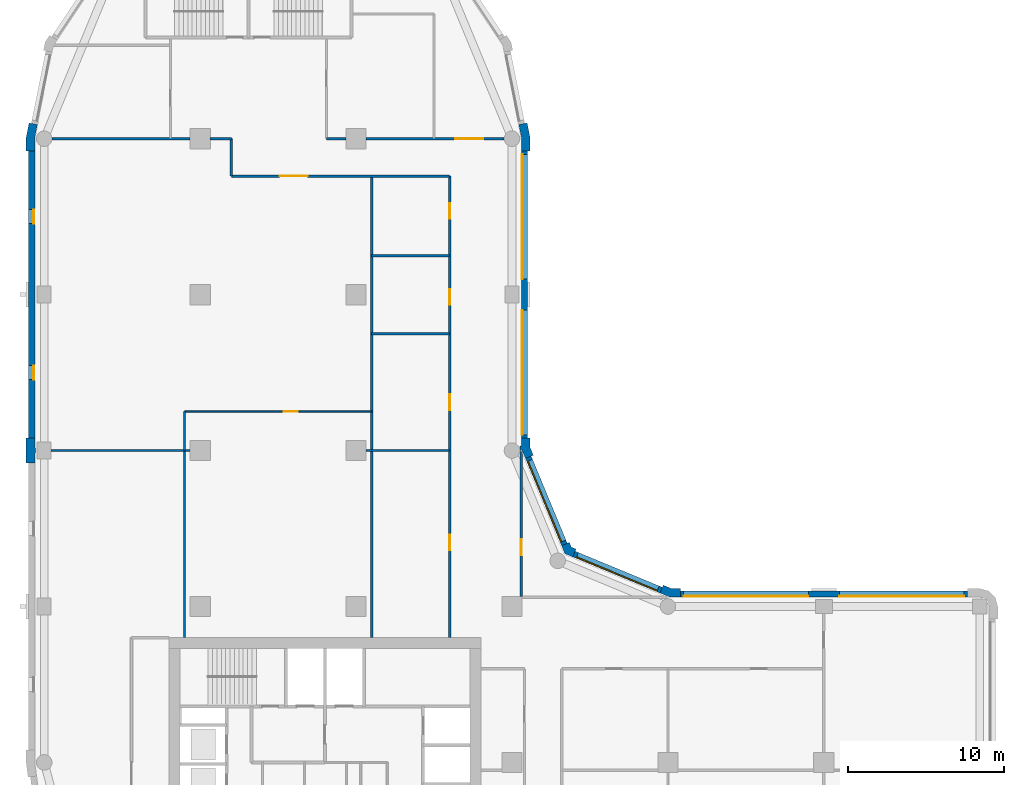
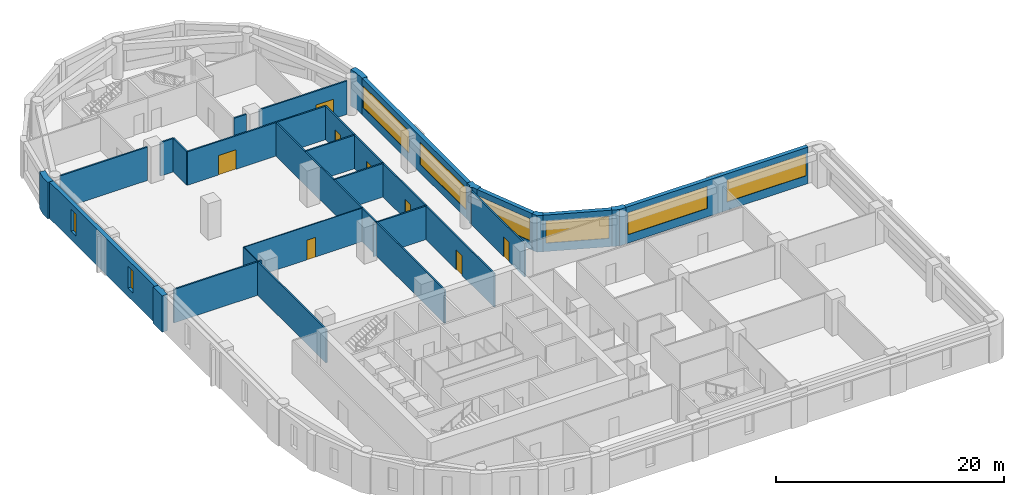
# One storey, part 5 of 9: 27 walls, 8 doors, 8 windows, 16 openings.
"""IFC4 building model written with IfcOpenShell, lengths in metres."""

from ifc_helpers import new_model, si_unit, direction, frame, frame_2d, origin, place, context, subcontext, project, spatial, polyline, rectangle, outline, extrude, material, layer, layer_set, type_object, element, fill, save


model = new_model("IFC4")

# Units and contexts
model_context = context("Model", 3, precision=1e-05, world=origin(), true_north=direction((0.0, 1.0)))
body_context = subcontext(model_context, "Body", "Model", "MODEL_VIEW")
ifc_project = project(units=[si_unit("LENGTHUNIT", "METRE"), si_unit("AREAUNIT", "SQUARE_METRE"), si_unit("VOLUMEUNIT", "CUBIC_METRE"), si_unit("PLANEANGLEUNIT", "RADIAN"), si_unit("MASSUNIT", "GRAM", prefix="KILO")], contexts=[model_context])

# Site, building, storey
site_placement = place(None, origin())
site = spatial("IfcSite", under=ifc_project, at=site_placement, CompositionType="ELEMENT")
building_placement = place(site_placement, origin())
building = spatial("IfcBuilding", under=site, at=building_placement, Name="Qaws Garden Tower", CompositionType="ELEMENT")
storey_placement = place(building_placement, frame((0.0, 0.0, 159.0)))
storey = spatial("IfcBuildingStorey", under=building, at=storey_placement, Name="L38", CompositionType="ELEMENT", Elevation=159.0)

# Wall, openings, windows
ifc_material_1 = material(Name="Clay facing brick masonry", Category="masonry")
ifc_layer_1 = layer(ifc_material_1, 0.39990234375)
ifc_layer_set_1 = layer_set([ifc_layer_1], Name="Clay facing brick masonry")
wall_type_1 = type_object("IfcWallType", Name="Brick infill wall 400", PredefinedType="SOLIDWALL", material=ifc_layer_set_1)
wall_1_placement = place(storey_placement, frame((59.199951171875, 30.800048828125, 0.0), z_axis=(0.0, 0.0, 1.0), x_axis=(-1.0, 0.0, 0.0)))
wall_1 = element("IfcWall", 1, at=wall_1_placement, inside=storey, type_object=wall_type_1, Name="E-L38-infill-07", PredefinedType="SOLIDWALL", context=body_context, shape_type="SweptSolid", body=[
    extrude(rectangle(XDim=18.39990234375, YDim=0.39990234375, at=frame_2d((9.199951171875, 0.0))), origin(), (0.0, 0.0, 1.0), 3.89990234375),
])
opening_1_placement = place(wall_1_placement, frame((0.199951171875, 0.0, 0.89990234375)))
opening_1 = element("IfcOpeningElement", 2, at=opening_1_placement, cuts=wall_1, Name="Opening W01", PredefinedType="OPENING", context=body_context, shape_type="SweptSolid", body=[
    extrude(rectangle(XDim=8.0, YDim=2.35009765625, at=frame_2d((4.0, 1.175048828125))), frame((0.0, 0.2099609375, 0.0), z_axis=(0.0, -1.0, 0.0), x_axis=(1.0, 0.0, 0.0)), (0.0, 0.0, 1.0), 0.419921875),
])
opening_2_placement = place(wall_1_placement, frame((10.199951171875, 0.0, 0.89990234375)))
opening_2 = element("IfcOpeningElement", 3, at=opening_2_placement, cuts=wall_1, Name="Opening W01", PredefinedType="OPENING", context=body_context, shape_type="SweptSolid", body=[
    extrude(rectangle(XDim=8.0, YDim=2.35009765625, at=frame_2d((4.0, 1.175048828125))), frame((0.0, 0.2099609375, 0.0), z_axis=(0.0, -1.0, 0.0), x_axis=(1.0, 0.0, 0.0)), (0.0, 0.0, 1.0), 0.419921875),
])
ifc_material_2 = material(Name="Aluminium framed window, clear glazing", Category="aluminium")
window_type_1 = type_object("IfcWindowType", Name="Ribbon window 8000 x 2350", PartitioningType="DOUBLE_PANEL_VERTICAL", PredefinedType="WINDOW", material=ifc_material_2)
window_1_placement = place(opening_1_placement, origin())
window_1 = element("IfcWindow", 4, at=window_1_placement, inside=storey, type_object=window_type_1, Name="E-L38-window-07-0", OverallHeight=2.35009765625, OverallWidth=8.0, PartitioningType="SINGLE_PANEL", PredefinedType="WINDOW", context=body_context, shape_type="SweptSolid", body=[
    extrude(rectangle(XDim=8.0, YDim=2.35009765625, at=frame_2d((4.0, 1.175048828125))), frame((0.0, 0.159912109375, 0.0), z_axis=(0.0, -1.0, 0.0), x_axis=(1.0, 0.0, 0.0)), (0.0, 0.0, 1.0), 0.06005859375),
])
fill(opening_1, window_1)
window_2_placement = place(opening_2_placement, origin())
window_2 = element("IfcWindow", 5, at=window_2_placement, inside=storey, type_object=window_type_1, Name="E-L38-window-08-0", OverallHeight=2.35009765625, OverallWidth=8.0, PartitioningType="SINGLE_PANEL", PredefinedType="WINDOW", context=body_context, shape_type="SweptSolid", body=[
    extrude(rectangle(XDim=8.0, YDim=2.35009765625, at=frame_2d((4.0, 1.175048828125))), frame((0.0, 0.159912109375, 0.0), z_axis=(0.0, -1.0, 0.0), x_axis=(1.0, 0.0, 0.0)), (0.0, 0.0, 1.0), 0.06005859375),
])
fill(opening_2, window_2)

# Wall, opening, window
wall_2_placement = place(storey_placement, frame((39.56689453125, 31.04541015625, 0.0), z_axis=(0.0, 0.0, 1.0), x_axis=(-0.923891000409, 0.382655745237, 0.0)))
wall_2 = element("IfcWall", 6, at=wall_2_placement, inside=storey, type_object=wall_type_1, Name="E-L38-infill-09", PredefinedType="SOLIDWALL", context=body_context, shape_type="SweptSolid", body=[
    extrude(rectangle(XDim=6.053466796875, YDim=0.39990234375, at=frame_2d((3.02685546875, 0.0))), origin(), (0.0, 0.0, 1.0), 3.89990234375),
])
opening_3_placement = place(wall_2_placement, frame((0.226806640625, 0.0, 0.89990234375)))
opening_3 = element("IfcOpeningElement", 7, at=opening_3_placement, cuts=wall_2, Name="Opening W04", PredefinedType="OPENING", context=body_context, shape_type="SweptSolid", body=[
    extrude(rectangle(XDim=5.60009765625, YDim=2.35009765625, at=frame_2d((2.800048828125, 1.175048828125))), frame((0.0, 0.2099609375, 0.0), z_axis=(0.0, -1.0, 0.0), x_axis=(1.0, 0.0, 0.0)), (0.0, 0.0, 1.0), 0.419921875),
])
ifc_material_3 = material(Name="Aluminium framed window, clear glazing", Category="aluminium")
window_type_2 = type_object("IfcWindowType", Name="Ribbon window 5600 x 2350", PartitioningType="DOUBLE_PANEL_VERTICAL", PredefinedType="WINDOW", material=ifc_material_3)
window_3_placement = place(opening_3_placement, origin())
window_3 = element("IfcWindow", 8, at=window_3_placement, inside=storey, type_object=window_type_2, Name="E-L38-window-09-0", OverallHeight=2.35009765625, OverallWidth=5.60009765625, PartitioningType="SINGLE_PANEL", PredefinedType="WINDOW", context=body_context, shape_type="SweptSolid", body=[
    extrude(rectangle(XDim=5.60009765625, YDim=2.35009765625, at=frame_2d((2.800048828125, 1.175048828125))), frame((0.0, 0.159912109375, 0.0), z_axis=(0.0, -1.0, 0.0), x_axis=(1.0, 0.0, 0.0)), (0.0, 0.0, 1.0), 0.06005859375),
])
fill(opening_3, window_3)

wall_3_placement = place(storey_placement, frame((33.36181640625, 33.97412109375, 0.0), z_axis=(0.0, 0.0, 1.0), x_axis=(-0.382655745237, 0.923891000409, 0.0)))
wall_3 = element("IfcWall", 9, at=wall_3_placement, inside=storey, type_object=wall_type_1, Name="E-L38-infill-10", PredefinedType="SOLIDWALL", context=body_context, shape_type="SweptSolid", body=[
    extrude(rectangle(XDim=6.053466796875, YDim=0.39990234375, at=frame_2d((3.02685546875, 0.0))), origin(), (0.0, 0.0, 1.0), 3.89990234375),
])
opening_4_placement = place(wall_3_placement, frame((0.226806640625, 0.0, 0.89990234375)))
opening_4 = element("IfcOpeningElement", 10, at=opening_4_placement, cuts=wall_3, Name="Opening W04", PredefinedType="OPENING", context=body_context, shape_type="SweptSolid", body=[
    extrude(rectangle(XDim=5.60009765625, YDim=2.35009765625, at=frame_2d((2.800048828125, 1.175048828125))), frame((0.0, 0.2099609375, 0.0), z_axis=(0.0, -1.0, 0.0), x_axis=(1.0, 0.0, 0.0)), (0.0, 0.0, 1.0), 0.419921875),
])
window_4_placement = place(opening_4_placement, origin())
window_4 = element("IfcWindow", 11, at=window_4_placement, inside=storey, type_object=window_type_2, Name="E-L38-window-10-0", OverallHeight=2.35009765625, OverallWidth=5.60009765625, PartitioningType="SINGLE_PANEL", PredefinedType="WINDOW", context=body_context, shape_type="SweptSolid", body=[
    extrude(rectangle(XDim=5.60009765625, YDim=2.35009765625, at=frame_2d((2.800048828125, 1.175048828125))), frame((0.0, 0.159912109375, 0.0), z_axis=(0.0, -1.0, 0.0), x_axis=(1.0, 0.0, 0.0)), (0.0, 0.0, 1.0), 0.06005859375),
])
fill(opening_4, window_4)

# Wall, openings, windows
wall_4_placement = place(storey_placement, frame((30.800048828125, 40.800048828125, 0.0), z_axis=(0.0, 0.0, 1.0), x_axis=(0.0, 1.0, 0.0)))
wall_4 = element("IfcWall", 12, at=wall_4_placement, inside=storey, type_object=wall_type_1, Name="E-L38-infill-11", PredefinedType="SOLIDWALL", context=body_context, shape_type="SweptSolid", body=[
    extrude(rectangle(XDim=18.39990234375, YDim=0.39990234375, at=frame_2d((9.199951171875, 0.0))), origin(), (0.0, 0.0, 1.0), 3.89990234375),
])
opening_5_placement = place(wall_4_placement, frame((0.199951171875, 0.0, 0.89990234375)))
opening_5 = element("IfcOpeningElement", 13, at=opening_5_placement, cuts=wall_4, Name="Opening W01", PredefinedType="OPENING", context=body_context, shape_type="SweptSolid", body=[
    extrude(rectangle(XDim=8.0, YDim=2.35009765625, at=frame_2d((4.0, 1.175048828125))), frame((0.0, 0.2099609375, 0.0), z_axis=(0.0, -1.0, 0.0), x_axis=(1.0, 0.0, 0.0)), (0.0, 0.0, 1.0), 0.419921875),
])
opening_6_placement = place(wall_4_placement, frame((10.199951171875, 0.0, 0.89990234375)))
opening_6 = element("IfcOpeningElement", 14, at=opening_6_placement, cuts=wall_4, Name="Opening W01", PredefinedType="OPENING", context=body_context, shape_type="SweptSolid", body=[
    extrude(rectangle(XDim=8.0, YDim=2.35009765625, at=frame_2d((4.0, 1.175048828125))), frame((0.0, 0.2099609375, 0.0), z_axis=(0.0, -1.0, 0.0), x_axis=(1.0, 0.0, 0.0)), (0.0, 0.0, 1.0), 0.419921875),
])
window_5_placement = place(opening_5_placement, origin())
window_5 = element("IfcWindow", 15, at=window_5_placement, inside=storey, type_object=window_type_1, Name="E-L38-window-11-0", OverallHeight=2.35009765625, OverallWidth=8.0, PartitioningType="SINGLE_PANEL", PredefinedType="WINDOW", context=body_context, shape_type="SweptSolid", body=[
    extrude(rectangle(XDim=8.0, YDim=2.35009765625, at=frame_2d((4.0, 1.175048828125))), frame((0.0, 0.159912109375, 0.0), z_axis=(0.0, -1.0, 0.0), x_axis=(1.0, 0.0, 0.0)), (0.0, 0.0, 1.0), 0.06005859375),
])
fill(opening_5, window_5)
window_6_placement = place(opening_6_placement, origin())
window_6 = element("IfcWindow", 16, at=window_6_placement, inside=storey, type_object=window_type_1, Name="E-L38-window-12-0", OverallHeight=2.35009765625, OverallWidth=8.0, PartitioningType="SINGLE_PANEL", PredefinedType="WINDOW", context=body_context, shape_type="SweptSolid", body=[
    extrude(rectangle(XDim=8.0, YDim=2.35009765625, at=frame_2d((4.0, 1.175048828125))), frame((0.0, 0.159912109375, 0.0), z_axis=(0.0, -1.0, 0.0), x_axis=(1.0, 0.0, 0.0)), (0.0, 0.0, 1.0), 0.06005859375),
])
fill(opening_6, window_6)

wall_5_placement = place(storey_placement, frame((-0.800048828125, 59.199951171875, 0.0), z_axis=(0.0, 0.0, 1.0), x_axis=(0.0, -1.0, 0.0)))
wall_5 = element("IfcWall", 17, at=wall_5_placement, inside=storey, type_object=wall_type_1, Name="E-L38-infill-21", PredefinedType="SOLIDWALL", context=body_context, shape_type="SweptSolid", body=[
    extrude(rectangle(XDim=18.39990234375, YDim=0.39990234375, at=frame_2d((9.199951171875, 0.0))), origin(), (0.0, 0.0, 1.0), 3.89990234375),
])
opening_7_placement = place(wall_5_placement, frame((3.75, 0.0, 0.89990234375)))
opening_7 = element("IfcOpeningElement", 18, at=opening_7_placement, cuts=wall_5, Name="Opening W09", PredefinedType="OPENING", context=body_context, shape_type="SweptSolid", body=[
    extrude(rectangle(XDim=0.89990234375, YDim=2.35009765625, at=frame_2d((0.449951171875, 1.175048828125))), frame((0.0, 0.2099609375, 0.0), z_axis=(0.0, -1.0, 0.0), x_axis=(1.0, 0.0, 0.0)), (0.0, 0.0, 1.0), 0.419921875),
])
opening_8_placement = place(wall_5_placement, frame((13.75, 0.0, 0.89990234375)))
opening_8 = element("IfcOpeningElement", 19, at=opening_8_placement, cuts=wall_5, Name="Opening W09", PredefinedType="OPENING", context=body_context, shape_type="SweptSolid", body=[
    extrude(rectangle(XDim=0.89990234375, YDim=2.35009765625, at=frame_2d((0.449951171875, 1.175048828125))), frame((0.0, 0.2099609375, 0.0), z_axis=(0.0, -1.0, 0.0), x_axis=(1.0, 0.0, 0.0)), (0.0, 0.0, 1.0), 0.419921875),
])
ifc_material_4 = material(Name="Aluminium framed window, clear glazing", Category="aluminium")
window_type_3 = type_object("IfcWindowType", Name="Slit window 900 x 2350", PartitioningType="SINGLE_PANEL", PredefinedType="WINDOW", material=ifc_material_4)
window_7_placement = place(opening_7_placement, origin())
window_7 = element("IfcWindow", 20, at=window_7_placement, inside=storey, type_object=window_type_3, Name="E-L38-window-21-0", OverallHeight=2.35009765625, OverallWidth=0.89990234375, PartitioningType="SINGLE_PANEL", PredefinedType="WINDOW", context=body_context, shape_type="SweptSolid", body=[
    extrude(rectangle(XDim=0.89990234375, YDim=2.35009765625, at=frame_2d((0.449951171875, 1.175048828125))), frame((0.0, 0.159912109375, 0.0), z_axis=(0.0, -1.0, 0.0), x_axis=(1.0, 0.0, 0.0)), (0.0, 0.0, 1.0), 0.06005859375),
])
fill(opening_7, window_7)
window_8_placement = place(opening_8_placement, origin())
window_8 = element("IfcWindow", 21, at=window_8_placement, inside=storey, type_object=window_type_3, Name="E-L38-window-22-0", OverallHeight=2.35009765625, OverallWidth=0.89990234375, PartitioningType="SINGLE_PANEL", PredefinedType="WINDOW", context=body_context, shape_type="SweptSolid", body=[
    extrude(rectangle(XDim=0.89990234375, YDim=2.35009765625, at=frame_2d((0.449951171875, 1.175048828125))), frame((0.0, 0.159912109375, 0.0), z_axis=(0.0, -1.0, 0.0), x_axis=(1.0, 0.0, 0.0)), (0.0, 0.0, 1.0), 0.06005859375),
])
fill(opening_8, window_8)

# Walls
ifc_material_5 = material(Name="Clay facing brick masonry", Category="masonry")
ifc_layer_2 = layer(ifc_material_5, 0.550048828125)
ifc_layer_set_2 = layer_set([ifc_layer_2], Name="Clay facing brick masonry")
wall_type_2 = type_object("IfcWallType", Name="Brick pier 550 x 1600", PredefinedType="SOLIDWALL", material=ifc_layer_set_2)
placement = place(storey_placement, origin())
element("IfcWall", 22, at=placement, inside=storey, type_object=wall_type_2, Name="E-L38-pier-09", PredefinedType="SOLIDWALL", context=body_context, shape_type="SweptSolid", body=[
    extrude(outline(polyline([(40.800048828125, 31.0), (40.800048828125, 31.14990234375), (40.228759765625, 31.14990234375), (39.700927734375, 31.36865234375), (39.6435546875, 31.22998046875), (39.490478515625, 30.860595703125), (40.119384765625, 30.60009765625), (40.800048828125, 30.60009765625), (40.800048828125, 31.0)])), origin(), (0.0, 0.0, 1.0), 3.89990234375),
])
element("IfcWall", 23, at=placement, inside=storey, type_object=wall_type_2, Name="E-L38-pier-10", PredefinedType="SOLIDWALL", context=body_context, shape_type="SweptSolid", body=[
    extrude(outline(polyline([(34.05078125, 33.546630859375), (34.108154296875, 33.685302734375), (33.80908203125, 33.80908203125), (33.685302734375, 34.108154296875), (33.546630859375, 34.05078125), (33.177001953125, 33.897705078125), (33.38818359375, 33.38818359375), (33.897705078125, 33.177001953125), (34.05078125, 33.546630859375)])), origin(), (0.0, 0.0, 1.0), 3.89990234375),
])
element("IfcWall", 24, at=placement, inside=storey, type_object=wall_type_2, Name="E-L38-pier-11", PredefinedType="SOLIDWALL", context=body_context, shape_type="SweptSolid", body=[
    extrude(outline(polyline([(30.6201171875, 39.995361328125), (30.6201171875, 40.071044921875), (30.860595703125, 39.490478515625), (31.22998046875, 39.6435546875), (31.36865234375, 39.700927734375), (31.14990234375, 40.228759765625), (31.14990234375, 40.800048828125), (31.0, 40.800048828125), (30.60009765625, 40.800048828125), (30.60009765625, 40.29541015625), (30.5, 40.29541015625), (30.5, 39.995361328125), (30.6201171875, 39.995361328125)])), origin(), (0.0, 0.0, 1.0), 3.89990234375),
])
element("IfcWall", 25, at=placement, inside=storey, type_object=wall_type_2, Name="E-L38-pier-13", PredefinedType="SOLIDWALL", context=body_context, shape_type="SweptSolid", body=[
    extrude(outline(polyline([(31.0, 59.199951171875), (31.14990234375, 59.199951171875), (31.14990234375, 60.11328125), (30.971923828125, 61.009033203125), (30.82470703125, 60.979736328125), (30.432373046875, 60.901611328125), (30.60009765625, 60.05908203125), (30.60009765625, 59.199951171875), (31.0, 59.199951171875)])), origin(), (0.0, 0.0, 1.0), 3.89990234375),
])
element("IfcWall", 26, at=placement, inside=storey, type_object=wall_type_2, Name="E-L38-pier-21", PredefinedType="SOLIDWALL", context=body_context, shape_type="SweptSolid", body=[
    extrude(outline(polyline([(-0.82470703125, 60.979736328125), (-0.971923828125, 61.009033203125), (-1.14990234375, 60.11328125), (-1.14990234375, 59.199951171875), (-1.0, 59.199951171875), (-0.60009765625, 59.199951171875), (-0.60009765625, 60.05908203125), (-0.432373046875, 60.901611328125), (-0.82470703125, 60.979736328125)])), origin(), (0.0, 0.0, 1.0), 3.89990234375),
])
element("IfcWall", 27, at=placement, inside=storey, type_object=wall_type_2, Name="E-L38-pier-23", PredefinedType="SOLIDWALL", context=body_context, shape_type="SweptSolid", body=[
    extrude(outline(polyline([(-0.60009765625, 39.199951171875), (-0.60009765625, 39.85009765625), (-0.550048828125, 39.85009765625), (-0.550048828125, 40.14990234375), (-0.60009765625, 40.14990234375), (-0.60009765625, 40.800048828125), (-1.0, 40.800048828125), (-1.14990234375, 40.800048828125), (-1.14990234375, 40.0), (-1.14990234375, 39.199951171875), (-1.0, 39.199951171875), (-0.60009765625, 39.199951171875)])), origin(), (0.0, 0.0, 1.0), 3.89990234375),
])
ifc_material_6 = material(Name="Gypsum board partition")
ifc_layer_3 = layer(ifc_material_6, 0.10009765625)
ifc_layer_set_3 = layer_set([ifc_layer_3], Name="Gypsum board partition")
wall_type_3 = type_object("IfcWallType", Name="PARTITION 100", PredefinedType="PARTITIONING", material=ifc_layer_set_3)
wall_12_placement = place(storey_placement, frame((9.0, 40.0, 0.0), z_axis=(0.0, 0.0, 1.0), x_axis=(0.0, 1.0, 0.0)))
element("IfcWall", 28, at=wall_12_placement, inside=storey, type_object=wall_type_3, Name="O-L38-wall-001", PredefinedType="PARTITIONING", context=body_context, shape_type="SweptSolid", body=[
    extrude(rectangle(XDim=2.5, YDim=0.10009765625, at=frame_2d((1.25, 0.0))), origin(), (0.0, 0.0, 1.0), 3.580078125),
])

# Wall, opening, door
wall_13_placement = place(storey_placement, frame((9.0, 42.5, 0.0), z_axis=(0.0, 0.0, 1.0), x_axis=(1.0, 0.0, 0.0)))
wall_13 = element("IfcWall", 29, at=wall_13_placement, inside=storey, type_object=wall_type_3, Name="O-L38-wall-005", PredefinedType="PARTITIONING", context=body_context, shape_type="SweptSolid", body=[
    extrude(rectangle(XDim=12.0, YDim=0.10009765625, at=frame_2d((6.0, 0.0))), origin(), (0.0, 0.0, 1.0), 3.580078125),
])
opening_9_placement = place(wall_13_placement, frame((6.35009765625, 0.0, 0.0)))
opening_9 = element("IfcOpeningElement", 30, at=opening_9_placement, cuts=wall_13, Name="Opening B324", PredefinedType="OPENING", context=body_context, shape_type="SweptSolid", body=[
    extrude(rectangle(XDim=0.89990234375, YDim=2.10009765625, at=frame_2d((0.449951171875, 1.050048828125))), frame((0.0, 0.06005859375, 0.0), z_axis=(0.0, -1.0, 0.0), x_axis=(1.0, 0.0, 0.0)), (0.0, 0.0, 1.0), 0.1201171875),
])
ifc_material_7 = material(Name="Timber door leaf", Category="wood")
door_type_1 = type_object("IfcDoorType", Name="OFFICE DOOR 900 X 2100", OperationType="SINGLE_SWING_LEFT", PredefinedType="DOOR", material=ifc_material_7)
door_1_placement = place(opening_9_placement, frame((0.89990234375, 0.0, 0.0), z_axis=(0.0, 0.0, 1.0), x_axis=(-1.0, 0.0, 0.0)))
door_1 = element("IfcDoor", 31, at=door_1_placement, inside=storey, type_object=door_type_1, Name="O-L38-door-024", OperationType="SINGLE_SWING_LEFT", OverallHeight=2.10009765625, OverallWidth=0.89990234375, PredefinedType="DOOR", context=body_context, shape_type="SweptSolid", body=[
    extrude(rectangle(XDim=0.89990234375, YDim=2.10009765625, at=frame_2d((0.449951171875, 1.050048828125))), frame((0.0, 0.02490234375, 0.0), z_axis=(0.0, -1.0, 0.0), x_axis=(1.0, 0.0, 0.0)), (0.0, 0.0, 1.0), 0.050048828125),
])
fill(opening_9, door_1)

# Walls
ifc_material_8 = material(Name="Gypsum board partition")
ifc_layer_4 = layer(ifc_material_8, 0.14990234375)
ifc_layer_set_4 = layer_set([ifc_layer_4], Name="Gypsum board partition")
wall_type_4 = type_object("IfcWallType", Name="PARTITION 150 EI 60", PredefinedType="PARTITIONING", material=ifc_layer_set_4)
wall_14_placement = place(storey_placement, frame((9.0, 28.0, 0.0), z_axis=(0.0, 0.0, 1.0), x_axis=(0.0, 1.0, 0.0)))
element("IfcWall", 32, at=wall_14_placement, inside=storey, type_object=wall_type_4, Name="O-L38-wall-008", PredefinedType="PARTITIONING", context=body_context, shape_type="SweptSolid", body=[
    extrude(rectangle(XDim=12.0, YDim=0.14990234375, at=frame_2d((6.0, 0.0))), origin(), (0.0, 0.0, 1.0), 3.580078125),
])
wall_15_placement = place(storey_placement, frame((12.0, 57.60009765625, 0.0), z_axis=(0.0, 0.0, 1.0), x_axis=(0.0, 1.0, 0.0)))
element("IfcWall", 33, at=wall_15_placement, inside=storey, type_object=wall_type_4, Name="O-L38-wall-009", PredefinedType="PARTITIONING", context=body_context, shape_type="SweptSolid", body=[
    extrude(rectangle(XDim=2.39990234375, YDim=0.14990234375, at=frame_2d((1.199951171875, 0.0))), origin(), (0.0, 0.0, 1.0), 3.580078125),
])
wall_16_placement = place(storey_placement, frame((21.0, 28.0, 0.0), z_axis=(0.0, 0.0, 1.0), x_axis=(0.0, 1.0, 0.0)))
element("IfcWall", 34, at=wall_16_placement, inside=storey, type_object=wall_type_4, Name="O-L38-wall-013", PredefinedType="PARTITIONING", context=body_context, shape_type="SweptSolid", body=[
    extrude(rectangle(XDim=29.60009765625, YDim=0.14990234375, at=frame_2d((14.800048828125, 0.0))), origin(), (0.0, 0.0, 1.0), 3.580078125),
])

# Wall, openings, doors
wall_17_placement = place(storey_placement, frame((26.0, 28.0, 0.0), z_axis=(0.0, 0.0, 1.0), x_axis=(0.0, 1.0, 0.0)))
wall_17 = element("IfcWall", 35, at=wall_17_placement, inside=storey, type_object=wall_type_4, Name="O-L38-wall-015", PredefinedType="PARTITIONING", context=body_context, shape_type="SweptSolid", body=[
    extrude(rectangle(XDim=29.60009765625, YDim=0.14990234375, at=frame_2d((14.800048828125, 0.0))), origin(), (0.0, 0.0, 1.0), 3.580078125),
])
opening_10_placement = place(wall_17_placement, frame((5.60009765625, 0.0, 0.0)))
opening_10 = element("IfcOpeningElement", 36, at=opening_10_placement, cuts=wall_17, Name="Opening B305", PredefinedType="OPENING", context=body_context, shape_type="SweptSolid", body=[
    extrude(rectangle(XDim=1.0, YDim=2.10009765625, at=frame_2d((0.5, 1.050048828125))), frame((0.0, 0.0849609375, 0.0), z_axis=(0.0, -1.0, 0.0), x_axis=(1.0, 0.0, 0.0)), (0.0, 0.0, 1.0), 0.169921875),
])
opening_11_placement = place(wall_17_placement, frame((14.60009765625, 0.0, 0.0)))
opening_11 = element("IfcOpeningElement", 37, at=opening_11_placement, cuts=wall_17, Name="Opening B306", PredefinedType="OPENING", context=body_context, shape_type="SweptSolid", body=[
    extrude(rectangle(XDim=1.0, YDim=2.10009765625, at=frame_2d((0.5, 1.050048828125))), frame((0.0, 0.0849609375, 0.0), z_axis=(0.0, -1.0, 0.0), x_axis=(1.0, 0.0, 0.0)), (0.0, 0.0, 1.0), 0.169921875),
])
opening_12_placement = place(wall_17_placement, frame((21.35009765625, 0.0, 0.0)))
opening_12 = element("IfcOpeningElement", 38, at=opening_12_placement, cuts=wall_17, Name="Opening B307", PredefinedType="OPENING", context=body_context, shape_type="SweptSolid", body=[
    extrude(rectangle(XDim=1.0, YDim=2.10009765625, at=frame_2d((0.5, 1.050048828125))), frame((0.0, 0.0849609375, 0.0), z_axis=(0.0, -1.0, 0.0), x_axis=(1.0, 0.0, 0.0)), (0.0, 0.0, 1.0), 0.169921875),
])
opening_13_placement = place(wall_17_placement, frame((26.85009765625, 0.0, 0.0)))
opening_13 = element("IfcOpeningElement", 39, at=opening_13_placement, cuts=wall_17, Name="Opening B308", PredefinedType="OPENING", context=body_context, shape_type="SweptSolid", body=[
    extrude(rectangle(XDim=1.0, YDim=2.10009765625, at=frame_2d((0.5, 1.050048828125))), frame((0.0, 0.0849609375, 0.0), z_axis=(0.0, -1.0, 0.0), x_axis=(1.0, 0.0, 0.0)), (0.0, 0.0, 1.0), 0.169921875),
])
ifc_material_9 = material(Name="Timber door leaf", Category="wood")
door_type_2 = type_object("IfcDoorType", Name="TENANCY ENTRANCE DOOR 1000 X 2100", OperationType="SINGLE_SWING_LEFT", PredefinedType="DOOR", material=ifc_material_9)
door_2_placement = place(opening_10_placement, origin())
door_2 = element("IfcDoor", 40, at=door_2_placement, inside=storey, type_object=door_type_2, Name="O-L38-door-005", OperationType="SINGLE_SWING_RIGHT", OverallHeight=2.10009765625, OverallWidth=1.0, PredefinedType="DOOR", context=body_context, shape_type="SweptSolid", body=[
    extrude(rectangle(XDim=1.0, YDim=2.10009765625, at=frame_2d((0.5, 1.050048828125))), frame((0.0, 0.02490234375, 0.0), z_axis=(0.0, -1.0, 0.0), x_axis=(1.0, 0.0, 0.0)), (0.0, 0.0, 1.0), 0.050048828125),
])
fill(opening_10, door_2)
door_3_placement = place(opening_11_placement, origin())
door_3 = element("IfcDoor", 41, at=door_3_placement, inside=storey, type_object=door_type_2, Name="O-L38-door-006", OperationType="SINGLE_SWING_LEFT", OverallHeight=2.10009765625, OverallWidth=1.0, PredefinedType="DOOR", context=body_context, shape_type="SweptSolid", body=[
    extrude(rectangle(XDim=1.0, YDim=2.10009765625, at=frame_2d((0.5, 1.050048828125))), frame((0.0, 0.02490234375, 0.0), z_axis=(0.0, -1.0, 0.0), x_axis=(1.0, 0.0, 0.0)), (0.0, 0.0, 1.0), 0.050048828125),
])
fill(opening_11, door_3)
door_4_placement = place(opening_12_placement, origin())
door_4 = element("IfcDoor", 42, at=door_4_placement, inside=storey, type_object=door_type_2, Name="O-L38-door-007", OperationType="SINGLE_SWING_LEFT", OverallHeight=2.10009765625, OverallWidth=1.0, PredefinedType="DOOR", context=body_context, shape_type="SweptSolid", body=[
    extrude(rectangle(XDim=1.0, YDim=2.10009765625, at=frame_2d((0.5, 1.050048828125))), frame((0.0, 0.02490234375, 0.0), z_axis=(0.0, -1.0, 0.0), x_axis=(1.0, 0.0, 0.0)), (0.0, 0.0, 1.0), 0.050048828125),
])
fill(opening_12, door_4)
door_5_placement = place(opening_13_placement, origin())
door_5 = element("IfcDoor", 43, at=door_5_placement, inside=storey, type_object=door_type_2, Name="O-L38-door-008", OperationType="SINGLE_SWING_LEFT", OverallHeight=2.10009765625, OverallWidth=1.0, PredefinedType="DOOR", context=body_context, shape_type="SweptSolid", body=[
    extrude(rectangle(XDim=1.0, YDim=2.10009765625, at=frame_2d((0.5, 1.050048828125))), frame((0.0, 0.02490234375, 0.0), z_axis=(0.0, -1.0, 0.0), x_axis=(1.0, 0.0, 0.0)), (0.0, 0.0, 1.0), 0.050048828125),
])
fill(opening_13, door_5)

# Wall, opening, door
wall_18_placement = place(storey_placement, frame((30.60009765625, 30.64990234375, 0.0), z_axis=(0.0, 0.0, 1.0), x_axis=(0.0, 1.0, 0.0)))
wall_18 = element("IfcWall", 44, at=wall_18_placement, inside=storey, type_object=wall_type_4, Name="O-L38-wall-018", PredefinedType="PARTITIONING", context=body_context, shape_type="SweptSolid", body=[
    extrude(rectangle(XDim=9.288330078125, YDim=0.14990234375, at=frame_2d((4.64404296875, 0.0))), origin(), (0.0, 0.0, 1.0), 3.580078125),
])
opening_14_placement = place(wall_18_placement, frame((2.64990234375, 0.0, 0.0)))
opening_14 = element("IfcOpeningElement", 45, at=opening_14_placement, cuts=wall_18, Name="Opening B315", PredefinedType="OPENING", context=body_context, shape_type="SweptSolid", body=[
    extrude(rectangle(XDim=1.0, YDim=2.10009765625, at=frame_2d((0.5, 1.050048828125))), frame((0.0, 0.0849609375, 0.0), z_axis=(0.0, -1.0, 0.0), x_axis=(1.0, 0.0, 0.0)), (0.0, 0.0, 1.0), 0.169921875),
])
door_6_placement = place(opening_14_placement, frame((1.0, 0.0, 0.0), z_axis=(0.0, 0.0, 1.0), x_axis=(-1.0, 0.0, 0.0)))
door_6 = element("IfcDoor", 46, at=door_6_placement, inside=storey, type_object=door_type_2, Name="O-L38-door-015", OperationType="SINGLE_SWING_LEFT", OverallHeight=2.10009765625, OverallWidth=1.0, PredefinedType="DOOR", context=body_context, shape_type="SweptSolid", body=[
    extrude(rectangle(XDim=1.0, YDim=2.10009765625, at=frame_2d((0.5, 1.050048828125))), frame((0.0, 0.02490234375, 0.0), z_axis=(0.0, -1.0, 0.0), x_axis=(1.0, 0.0, 0.0)), (0.0, 0.0, 1.0), 0.050048828125),
])
fill(opening_14, door_6)

# Walls
wall_19_placement = place(storey_placement, frame((0.449951171875, 40.0, 0.0), z_axis=(0.0, 0.0, 1.0), x_axis=(1.0, 0.0, 0.0)))
element("IfcWall", 47, at=wall_19_placement, inside=storey, type_object=wall_type_4, Name="O-L38-wall-046", PredefinedType="PARTITIONING", context=body_context, shape_type="SweptSolid", body=[
    extrude(rectangle(XDim=8.900146484375, YDim=0.14990234375, at=frame_2d((4.4501953125, 0.0))), origin(), (0.0, 0.0, 1.0), 3.580078125),
])
wall_20_placement = place(storey_placement, frame((20.64990234375, 40.0, 0.0), z_axis=(0.0, 0.0, 1.0), x_axis=(1.0, 0.0, 0.0)))
element("IfcWall", 48, at=wall_20_placement, inside=storey, type_object=wall_type_4, Name="O-L38-wall-047", PredefinedType="PARTITIONING", context=body_context, shape_type="SweptSolid", body=[
    extrude(rectangle(XDim=5.35009765625, YDim=0.14990234375, at=frame_2d((2.675048828125, 0.0))), origin(), (0.0, 0.0, 1.0), 3.580078125),
])
for number, where, z_axis, x_axis, name in (
    (49, (21.0, 47.5, 0.0), (0.0, 0.0, 1.0), (1.0, 0.0, 0.0), "O-L38-wall-048"),
    (50, (21.0, 52.5, 0.0), (0.0, 0.0, 1.0), (1.0, 0.0, 0.0), "O-L38-wall-049"),
):
    element("IfcWall", number, at=place(storey_placement, frame(where, z_axis=z_axis, x_axis=x_axis)), inside=storey, type_object=wall_type_4, Name=name, PredefinedType="PARTITIONING", context=body_context, shape_type="SweptSolid", body=[
        extrude(rectangle(XDim=5.0, YDim=0.14990234375, at=frame_2d((2.5, 0.0))), origin(), (0.0, 0.0, 1.0), 3.580078125),
    ])

# Wall, opening, door
wall_21_placement = place(storey_placement, frame((12.0, 57.60009765625, 0.0), z_axis=(0.0, 0.0, 1.0), x_axis=(1.0, 0.0, 0.0)))
wall_21 = element("IfcWall", 51, at=wall_21_placement, inside=storey, type_object=wall_type_4, Name="O-L38-wall-050", PredefinedType="PARTITIONING", context=body_context, shape_type="SweptSolid", body=[
    extrude(rectangle(XDim=14.0, YDim=0.14990234375, at=frame_2d((7.0, 0.0))), origin(), (0.0, 0.0, 1.0), 3.580078125),
])
opening_15_placement = place(wall_21_placement, frame((3.10009765625, 0.0, 0.0)))
opening_15 = element("IfcOpeningElement", 52, at=opening_15_placement, cuts=wall_21, Name="Opening B309", PredefinedType="OPENING", context=body_context, shape_type="SweptSolid", body=[
    extrude(rectangle(XDim=1.800048828125, YDim=2.10009765625, at=frame_2d((0.89990234375, 1.050048828125))), frame((0.0, 0.0849609375, 0.0), z_axis=(0.0, -1.0, 0.0), x_axis=(1.0, 0.0, 0.0)), (0.0, 0.0, 1.0), 0.169921875),
])
ifc_material_10 = material(Name="Timber door leaf", Category="wood")
door_type_3 = type_object("IfcDoorType", Name="DOUBLE DOOR 1800 X 2100", OperationType="DOUBLE_DOOR_SINGLE_SWING", PredefinedType="DOOR", material=ifc_material_10)
door_7_placement = place(opening_15_placement, frame((1.800048828125, 0.0, 0.0), z_axis=(0.0, 0.0, 1.0), x_axis=(-1.0, 0.0, 0.0)))
door_7 = element("IfcDoor", 53, at=door_7_placement, inside=storey, type_object=door_type_3, Name="O-L38-door-009", OperationType="DOUBLE_DOOR_SINGLE_SWING", OverallHeight=2.10009765625, OverallWidth=1.800048828125, PredefinedType="DOOR", context=body_context, shape_type="SweptSolid", body=[
    extrude(rectangle(XDim=1.800048828125, YDim=2.10009765625, at=frame_2d((0.89990234375, 1.050048828125))), frame((0.0, 0.02490234375, 0.0), z_axis=(0.0, -1.0, 0.0), x_axis=(1.0, 0.0, 0.0)), (0.0, 0.0, 1.0), 0.050048828125),
])
fill(opening_15, door_7)

# Walls
wall_22_placement = place(storey_placement, frame((0.5, 60.0, 0.0), z_axis=(0.0, 0.0, 1.0), x_axis=(1.0, 0.0, 0.0)))
element("IfcWall", 54, at=wall_22_placement, inside=storey, type_object=wall_type_4, Name="O-L38-wall-051", PredefinedType="PARTITIONING", context=body_context, shape_type="SweptSolid", body=[
    extrude(rectangle(XDim=8.85009765625, YDim=0.14990234375, at=frame_2d((4.425048828125, 0.0))), origin(), (0.0, 0.0, 1.0), 3.580078125),
])
wall_23_placement = place(storey_placement, frame((10.64990234375, 60.0, 0.0), z_axis=(0.0, 0.0, 1.0), x_axis=(1.0, 0.0, 0.0)))
element("IfcWall", 55, at=wall_23_placement, inside=storey, type_object=wall_type_4, Name="O-L38-wall-052", PredefinedType="PARTITIONING", context=body_context, shape_type="SweptSolid", body=[
    extrude(rectangle(XDim=1.35009765625, YDim=0.14990234375, at=frame_2d((0.675048828125, 0.0))), origin(), (0.0, 0.0, 1.0), 3.580078125),
])
wall_24_placement = place(storey_placement, frame((18.10009765625, 60.0, 0.0), z_axis=(0.0, 0.0, 1.0), x_axis=(1.0, 0.0, 0.0)))
element("IfcWall", 56, at=wall_24_placement, inside=storey, type_object=wall_type_4, Name="O-L38-wall-053", PredefinedType="PARTITIONING", context=body_context, shape_type="SweptSolid", body=[
    extrude(rectangle(XDim=1.25, YDim=0.14990234375, at=frame_2d((0.625, 0.0))), origin(), (0.0, 0.0, 1.0), 3.580078125),
])

# Wall, opening, door
wall_25_placement = place(storey_placement, frame((20.64990234375, 60.0, 0.0), z_axis=(0.0, 0.0, 1.0), x_axis=(1.0, 0.0, 0.0)))
wall_25 = element("IfcWall", 57, at=wall_25_placement, inside=storey, type_object=wall_type_4, Name="O-L38-wall-054", PredefinedType="PARTITIONING", context=body_context, shape_type="SweptSolid", body=[
    extrude(rectangle(XDim=8.85009765625, YDim=0.14990234375, at=frame_2d((4.425048828125, 0.0))), origin(), (0.0, 0.0, 1.0), 3.580078125),
])
opening_16_placement = place(wall_25_placement, frame((5.699951171875, 0.0, 0.0)))
opening_16 = element("IfcOpeningElement", 58, at=opening_16_placement, cuts=wall_25, Name="Opening B314", PredefinedType="OPENING", context=body_context, shape_type="SweptSolid", body=[
    extrude(rectangle(XDim=1.800048828125, YDim=2.10009765625, at=frame_2d((0.89990234375, 1.050048828125))), frame((0.0, 0.0849609375, 0.0), z_axis=(0.0, -1.0, 0.0), x_axis=(1.0, 0.0, 0.0)), (0.0, 0.0, 1.0), 0.169921875),
])
door_8_placement = place(opening_16_placement, origin())
door_8 = element("IfcDoor", 59, at=door_8_placement, inside=storey, type_object=door_type_3, Name="O-L38-door-014", OperationType="DOUBLE_DOOR_SINGLE_SWING", OverallHeight=2.10009765625, OverallWidth=1.800048828125, PredefinedType="DOOR", context=body_context, shape_type="SweptSolid", body=[
    extrude(rectangle(XDim=1.800048828125, YDim=2.10009765625, at=frame_2d((0.89990234375, 1.050048828125))), frame((0.0, 0.02490234375, 0.0), z_axis=(0.0, -1.0, 0.0), x_axis=(1.0, 0.0, 0.0)), (0.0, 0.0, 1.0), 0.050048828125),
])
fill(opening_16, door_8)

save(model, "model.ifc")
